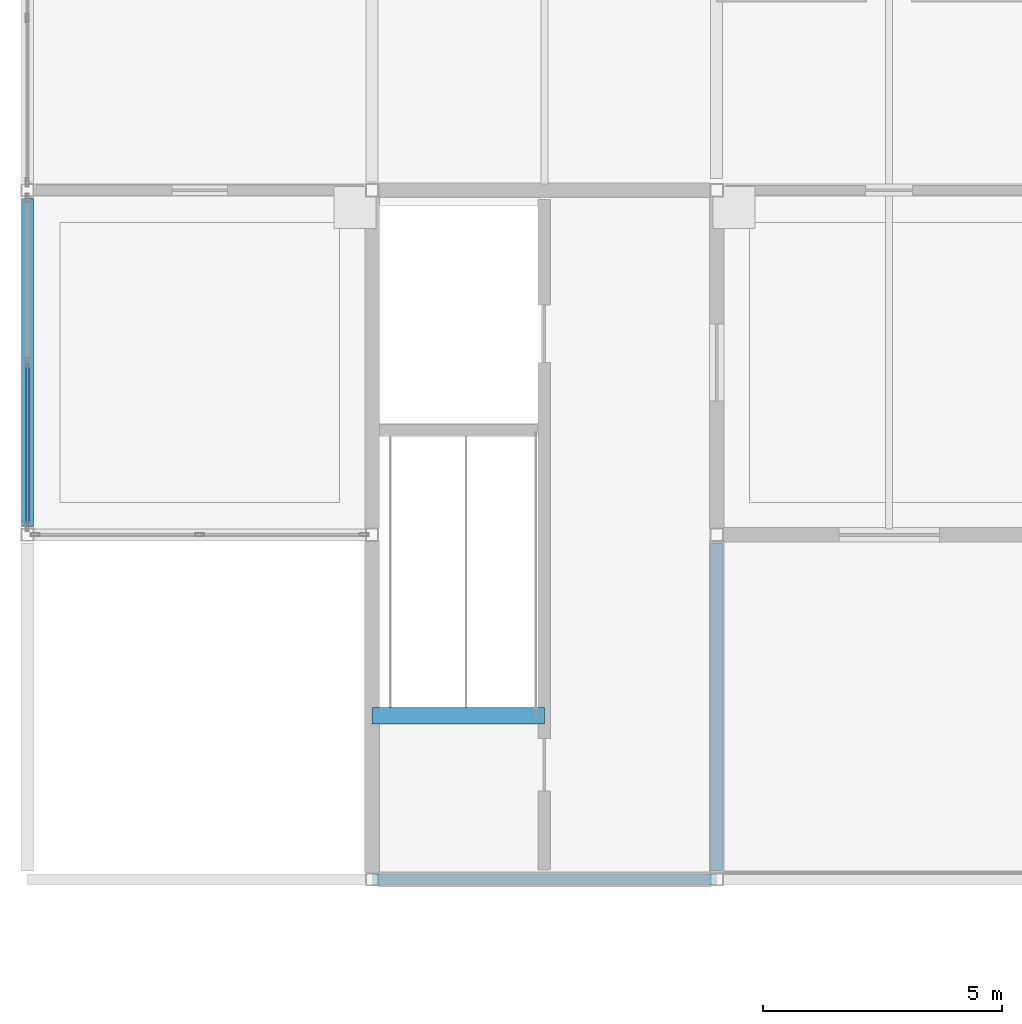
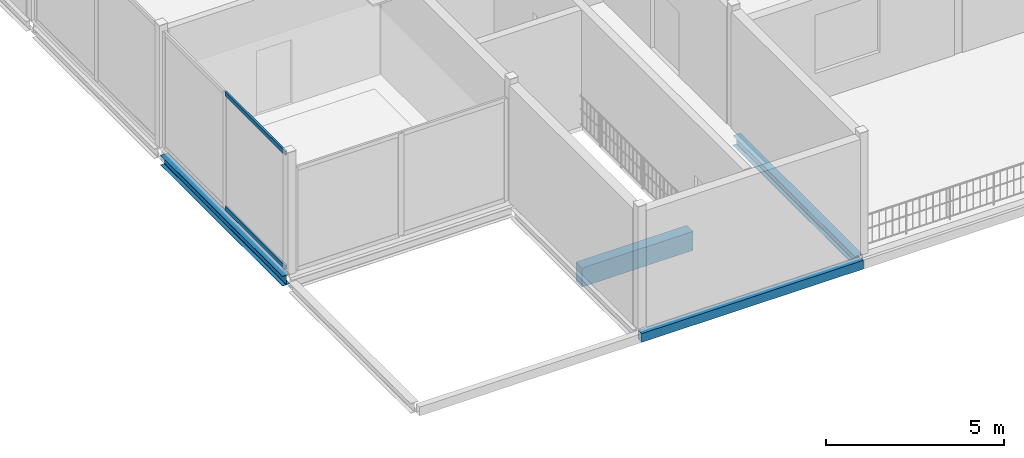
# One storey, part 6 of 18: 4 beams, 2 members, 1 element without a shape of its own.
"""IFC4 building model written with IfcOpenShell, lengths in metres."""

from ifc_helpers import new_model, si_unit, direction, frame, origin, origin_2d, place, context, subcontext, project, spatial, rectangle, hollow_rectangle, i_section, extrude, material, material_profile, profile_set, type_object, element, aggregate, save


model = new_model("IFC4")

# Units and contexts
model_context = context("Model", 3, precision=1e-05, world=origin(), true_north=direction((0.0, 1.0)))
body_context = subcontext(model_context, "Body", "Model", "MODEL_VIEW")
ifc_project = project(units=[si_unit("LENGTHUNIT", "METRE"), si_unit("AREAUNIT", "SQUARE_METRE"), si_unit("VOLUMEUNIT", "CUBIC_METRE"), si_unit("PLANEANGLEUNIT", "RADIAN"), si_unit("MASSUNIT", "GRAM", prefix="KILO")], contexts=[model_context])

# Site, building, storey
site_placement = place(None, origin())
site = spatial("IfcSite", under=ifc_project, at=site_placement, CompositionType="ELEMENT")
building_placement = place(site_placement, origin())
building = spatial("IfcBuilding", under=site, at=building_placement, Name="Vesperath Aquatics Centre", CompositionType="ELEMENT")
storey_placement = place(building_placement, frame((0.0, 0.0, 23.39990234375)))
storey = spatial("IfcBuildingStorey", under=building, at=storey_placement, Name="L05", CompositionType="ELEMENT", Elevation=23.39990234375)

# Beams
ifc_material_1 = material(Name="Concrete C35", Category="concrete")
ifc_material_profile_1 = material_profile(ifc_material_1, rectangle(XDim=0.35009765625, YDim=0.64990234375, at=origin_2d()), Name="RC 350x650")
ifc_profile_set_1 = profile_set([ifc_material_profile_1], Name="Concrete C35")
beam_type_1 = type_object("IfcBeamType", Name="BM-G05", PredefinedType="BEAM", material=ifc_profile_set_1)
beam_1_placement = place(storey_placement, frame((122.39990234375, 3.419921875, -0.324951171875), z_axis=(1.0, 0.0, 0.0), x_axis=(0.0, 1.0, 0.0)))
element("IfcBeam", 1, at=beam_1_placement, inside=storey, type_object=beam_type_1, Name="Stair ST5 Landing Trimmer Beam B05 L05", PredefinedType="BEAM", context=body_context, shape_type="SweptSolid", body=[
    extrude(rectangle(XDim=0.35009765625, YDim=0.64990234375, at=origin_2d()), origin(), (0.0, 0.0, 1.0), 3.60009765625),
])
ifc_material_2 = material(Name="Steel Q355C", Category="steel")
ifc_material_profile_2 = material_profile(ifc_material_2, i_section(OverallWidth=0.25, OverallDepth=0.340087890625, WebThickness=0.009033203125, FlangeThickness=0.013916015625, FilletRadius=0.02001953125, at=origin_2d()), Name="HM 340x250x9x14")
ifc_profile_set_2 = profile_set([ifc_material_profile_2], Name="Steel Q355C")
beam_type_2 = type_object("IfcBeamType", Name="BM-G12", PredefinedType="BEAM", material=ifc_profile_set_2)
beam_2_placement = place(storey_placement, frame((115.199951171875, 7.375, -0.389892578125), z_axis=(0.0, 1.0, 0.0), x_axis=(-1.0, 0.0, 0.0)))
element("IfcBeam", 2, at=beam_2_placement, inside=storey, type_object=beam_type_2, Name="Floor Girder B12 L05 17 B-C", PredefinedType="BEAM", context=body_context, shape_type="SweptSolid", body=[
    extrude(i_section(OverallWidth=0.25, OverallDepth=0.340087890625, WebThickness=0.009033203125, FlangeThickness=0.013916015625, FilletRadius=0.02001953125, at=origin_2d()), origin(), (0.0, 0.0, 1.0), 6.85009765625),
])
beam_3_placement = place(storey_placement, frame((129.60009765625, 0.175048828125, -0.389892578125), z_axis=(0.0, 1.0, 0.0), x_axis=(-1.0, 0.0, 0.0)))
element("IfcBeam", 3, at=beam_3_placement, inside=storey, type_object=beam_type_2, Name="Floor Girder B12 L05 19 A-B", PredefinedType="BEAM", context=body_context, shape_type="SweptSolid", body=[
    extrude(i_section(OverallWidth=0.25, OverallDepth=0.340087890625, WebThickness=0.009033203125, FlangeThickness=0.013916015625, FilletRadius=0.02001953125, at=origin_2d()), origin(), (0.0, 0.0, 1.0), 6.849853515625),
])
ifc_material_profile_3 = material_profile(ifc_material_2, hollow_rectangle(XDim=0.199951171875, YDim=0.300048828125, WallThickness=0.010009765625, at=origin_2d()), Name="RHS 300x200x10")
ifc_profile_set_3 = profile_set([ifc_material_profile_3], Name="Steel Q355C")
beam_type_3 = type_object("IfcBeamType", Name="BM-LN02", PredefinedType="LINTEL", material=ifc_profile_set_3)
beam_4_placement = place(storey_placement, frame((122.406005859375, 0.0, -0.369873046875), z_axis=(1.0, 0.0, 0.0), x_axis=(0.0, 1.0, 0.0)))
element("IfcBeam", 4, at=beam_4_placement, inside=storey, type_object=beam_type_3, Name="Floor Girder LN02 L05 A 18-19", PredefinedType="LINTEL", context=body_context, shape_type="SweptSolid", body=[
    extrude(hollow_rectangle(XDim=0.199951171875, YDim=0.300048828125, WallThickness=0.010009765625, at=origin_2d()), origin(), (0.0, 0.0, 1.0), 7.18798828125),
])

# Curtain wall, members
ifc_material_3 = material(Name="Thermally broken anodised bronze aluminium curtain wall", Category="aluminium")
curtain_wall_type = type_object("IfcCurtainWallType", Name="CW-07", PredefinedType="NOTDEFINED", material=ifc_material_3)
curtain_wall_placement = place(storey_placement, origin())
curtain_wall = element("IfcCurtainWall", 5, at=curtain_wall_placement, inside=storey, type_object=curtain_wall_type, Name="Facade Curtain Wall CW07 L05_W_16_01", PredefinedType="NOTDEFINED")
ifc_material_4 = material(Name="Thermally broken anodised aluminium", Category="aluminium")
ifc_material_profile_4 = material_profile(ifc_material_4, hollow_rectangle(XDim=0.06494140625, YDim=0.139892578125, WallThickness=0.00390625, at=origin_2d()), Name="CWT 65x140x4")
ifc_profile_set_4 = profile_set([ifc_material_profile_4], Name="Thermally broken anodised aluminium")
member_type = type_object("IfcMemberType", Name="MB-CWT3", PredefinedType="USERDEFINED", material=ifc_profile_set_4)
member_1_placement = place(storey_placement, frame((115.199951171875, 7.39501953125, 0.03271484375), z_axis=(0.0, 1.0, 0.0), x_axis=(-1.0, 0.0, 0.0)))
member_1 = element("IfcMember", 6, at=member_1_placement, type_object=member_type, Name="CW07 transom 1.1", ObjectType="TRANSOM", PredefinedType="USERDEFINED", context=body_context, shape_type="SweptSolid", body=[
    extrude(hollow_rectangle(XDim=0.06494140625, YDim=0.139892578125, WallThickness=0.00390625, at=origin_2d()), origin(), (0.0, 0.0, 1.0), 3.37255859375),
])
member_2_placement = place(storey_placement, frame((115.199951171875, 7.39501953125, 3.947509765625), z_axis=(0.0, 1.0, 0.0), x_axis=(-1.0, 0.0, 0.0)))
member_2 = element("IfcMember", 7, at=member_2_placement, type_object=member_type, Name="CW07 transom 1.2", ObjectType="TRANSOM", PredefinedType="USERDEFINED", context=body_context, shape_type="SweptSolid", body=[
    extrude(hollow_rectangle(XDim=0.06494140625, YDim=0.139892578125, WallThickness=0.00390625, at=origin_2d()), origin(), (0.0, 0.0, 1.0), 3.37255859375),
])
aggregate(curtain_wall, [member_1, member_2])

save(model, "model.ifc")
